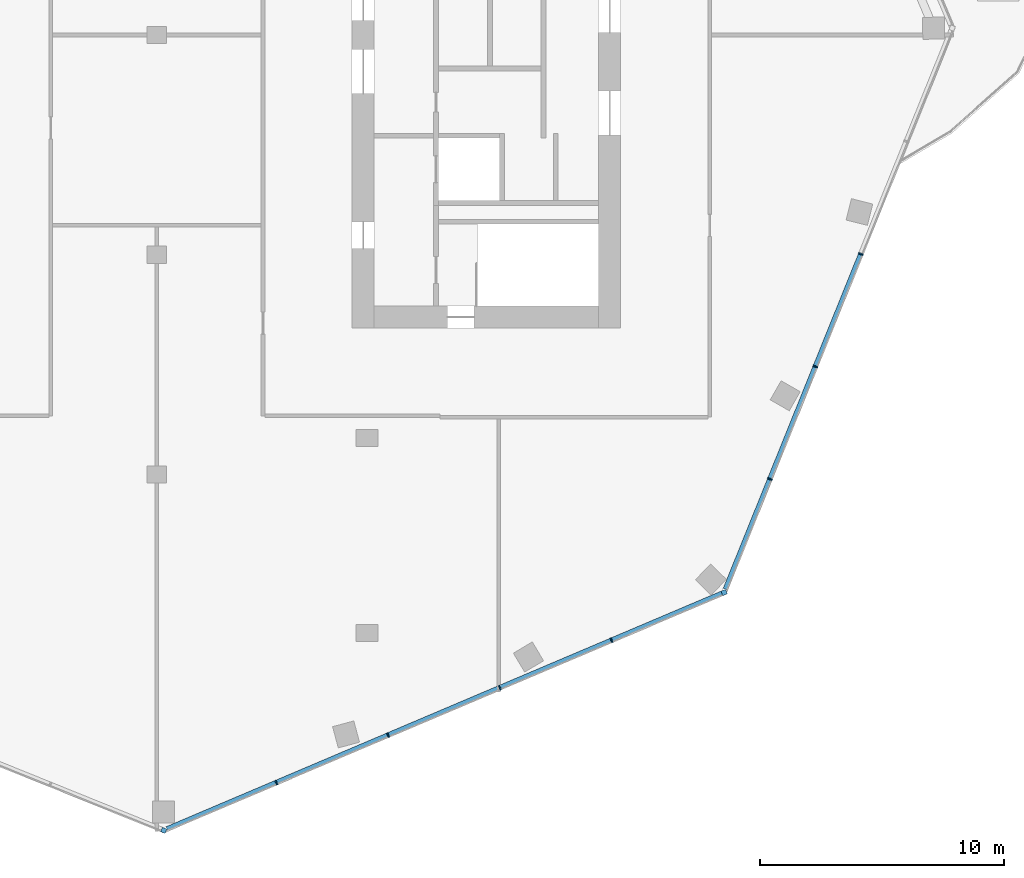
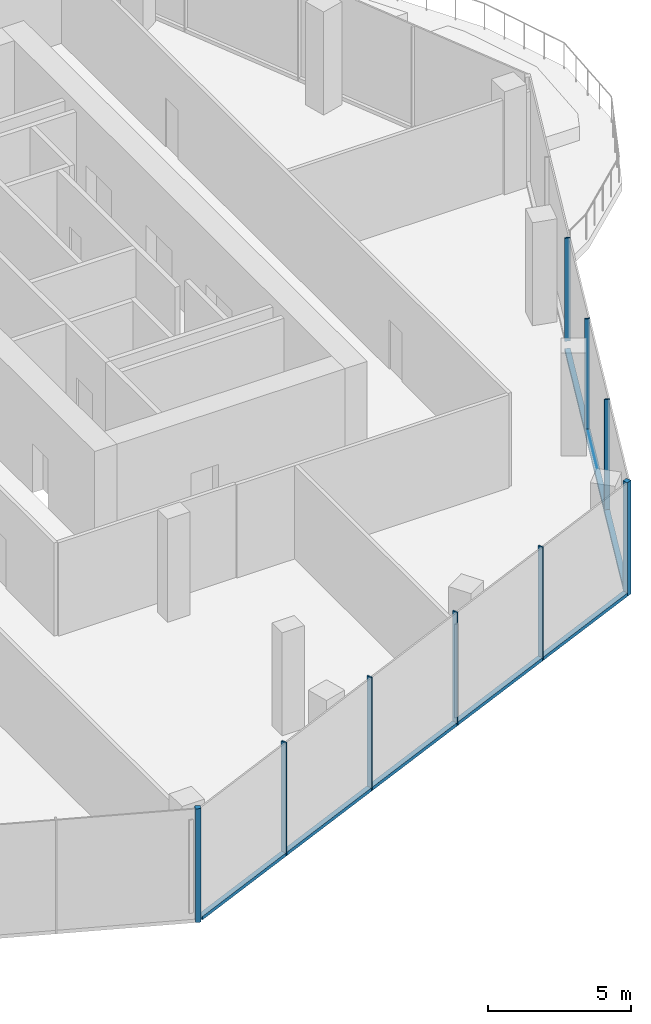
# One storey, part 4 of 15: 11 members, 3 elements without a shape of their own.
"""IFC4 building model written with IfcOpenShell, lengths in metres."""

from ifc_helpers import new_model, si_unit, direction, frame, origin, origin_2d, place, context, subcontext, project, spatial, rectangle, extrude, material, material_profile, profile_set, type_object, element, aggregate, save


model = new_model("IFC4")

# Units and contexts
model_context = context("Model", 3, precision=1e-05, world=origin(), true_north=direction((0.0, 1.0)))
body_context = subcontext(model_context, "Body", "Model", "MODEL_VIEW")
ifc_project = project(units=[si_unit("LENGTHUNIT", "METRE"), si_unit("AREAUNIT", "SQUARE_METRE"), si_unit("VOLUMEUNIT", "CUBIC_METRE"), si_unit("PLANEANGLEUNIT", "RADIAN"), si_unit("MASSUNIT", "GRAM", prefix="KILO")], contexts=[model_context])

# Site, building, storey
site_placement = place(None, origin())
site = spatial("IfcSite", under=ifc_project, at=site_placement, CompositionType="ELEMENT")
building_placement = place(site_placement, origin())
building = spatial("IfcBuilding", under=site, at=building_placement, Name="Orlundy Tower", CompositionType="ELEMENT")
storey_placement = place(building_placement, frame((0.0, 0.0, 299.89990234375)))
storey = spatial("IfcBuildingStorey", under=building, at=storey_placement, Name="L80", CompositionType="ELEMENT", Elevation=299.89990234375)

# Curtain wall, member
ifc_material_1 = material(Name="Aluminium bronze anodised", Category="aluminium")
curtain_wall_type = type_object("IfcCurtainWallType", Name="CW4 wall", PredefinedType="NOTDEFINED", material=ifc_material_1)
curtain_wall_1_placement = place(storey_placement, origin())
curtain_wall_1 = element("IfcCurtainWall", 1, at=curtain_wall_1_placement, inside=storey, type_object=curtain_wall_type, Name="CW4 run 02", PredefinedType="NOTDEFINED")
ifc_material_2 = material(Name="Aluminium bronze anodised", Category="aluminium")
ifc_material_profile_1 = material_profile(ifc_material_2, rectangle(XDim=0.199951171875, YDim=0.199951171875, at=origin_2d()), Name="CW4 corner post 200x200")
ifc_profile_set_1 = profile_set([ifc_material_profile_1], Name="Aluminium bronze anodised")
member_type_1 = type_object("IfcMemberType", Name="CW4 corner post 200x200", PredefinedType="MULLION", material=ifc_profile_set_1)
member_1_placement = place(storey_placement, frame((23.23828125, -22.8359375, -0.449951171875), z_axis=(0.0, 0.0, 1.0), x_axis=(0.390726531244, -0.920506804854, 0.0)))
member_1 = element("IfcMember", 2, at=member_1_placement, type_object=member_type_1, Name="CW4 mullion 11", PredefinedType="MULLION", context=body_context, shape_type="SweptSolid", body=[
    extrude(rectangle(XDim=0.199951171875, YDim=0.199951171875, at=origin_2d()), origin(), (0.0, 0.0, 1.0), 4.85009765625),
])

curtain_wall_2_placement = place(storey_placement, origin())
curtain_wall_2 = element("IfcCurtainWall", 3, at=curtain_wall_2_placement, inside=storey, type_object=curtain_wall_type, Name="CW4 run 03", PredefinedType="NOTDEFINED")
member_2_placement = place(storey_placement, frame((0.283935546875, -32.579345703125, -0.449951171875), z_axis=(0.0, 0.0, 1.0), x_axis=(-0.374607412456, -0.927183523653, 0.0)))
member_2 = element("IfcMember", 4, at=member_2_placement, type_object=member_type_1, Name="CW4 mullion 16", PredefinedType="MULLION", context=body_context, shape_type="SweptSolid", body=[
    extrude(rectangle(XDim=0.199951171875, YDim=0.199951171875, at=origin_2d()), origin(), (0.0, 0.0, 1.0), 4.85009765625),
])
aggregate(curtain_wall_2, [member_2])

# Curtain wall, members
curtain_wall_3_placement = place(storey_placement, origin())
curtain_wall_3 = element("IfcCurtainWall", 5, at=curtain_wall_3_placement, inside=storey, type_object=curtain_wall_type, Name="CW4 run 01", PredefinedType="NOTDEFINED")
ifc_material_3 = material(Name="Aluminium bronze anodised", Category="aluminium")
ifc_material_profile_2 = material_profile(ifc_material_3, rectangle(XDim=0.199951171875, YDim=0.06005859375, at=origin_2d()), Name="CW4 mullion 60x200")
ifc_profile_set_2 = profile_set([ifc_material_profile_2], Name="Aluminium bronze anodised")
member_type_2 = type_object("IfcMemberType", Name="CW4 mullion 60x200", PredefinedType="MULLION", material=ifc_profile_set_2)
member_3_placement = place(storey_placement, frame((28.839599609375, -8.9716796875, 0.0), z_axis=(0.0, 0.0, 1.0), x_axis=(0.927183523653, -0.374607412456, 0.0)))
member_3 = element("IfcMember", 6, at=member_3_placement, type_object=member_type_2, Name="CW4 mullion 8", PredefinedType="MULLION", context=body_context, shape_type="SweptSolid", body=[
    extrude(rectangle(XDim=0.199951171875, YDim=0.06005859375, at=origin_2d()), origin(), (0.0, 0.0, 1.0), 4.400146484375),
])
member_4_placement = place(storey_placement, frame((26.977783203125, -13.580322265625, -0.449951171875), z_axis=(0.0, 0.0, 1.0), x_axis=(0.927183523653, -0.374607412456, 0.0)))
member_4 = element("IfcMember", 7, at=member_4_placement, type_object=member_type_2, Name="CW4 mullion 9", PredefinedType="MULLION", context=body_context, shape_type="SweptSolid", body=[
    extrude(rectangle(XDim=0.199951171875, YDim=0.06005859375, at=origin_2d()), origin(), (0.0, 0.0, 1.0), 4.85009765625),
])
member_5_placement = place(storey_placement, frame((25.11572265625, -18.18896484375, -0.449951171875), z_axis=(0.0, 0.0, 1.0), x_axis=(0.927183523653, -0.374607412456, 0.0)))
member_5 = element("IfcMember", 8, at=member_5_placement, type_object=member_type_2, Name="CW4 mullion 10", PredefinedType="MULLION", context=body_context, shape_type="SweptSolid", body=[
    extrude(rectangle(XDim=0.199951171875, YDim=0.06005859375, at=origin_2d()), origin(), (0.0, 0.0, 1.0), 4.85009765625),
])

# Member
member_6_placement = place(storey_placement, frame((18.62451171875, -24.794189453125, -0.449951171875), z_axis=(0.0, 0.0, 1.0), x_axis=(0.390726531244, -0.920506804854, 0.0)))
member_6 = element("IfcMember", 9, at=member_6_placement, type_object=member_type_2, Name="CW4 mullion 12", PredefinedType="MULLION", context=body_context, shape_type="SweptSolid", body=[
    extrude(rectangle(XDim=0.199951171875, YDim=0.06005859375, at=origin_2d()), origin(), (0.0, 0.0, 1.0), 4.85009765625),
])

member_7_placement = place(storey_placement, frame((14.048828125, -26.736572265625, -0.449951171875), z_axis=(0.0, 0.0, 1.0), x_axis=(0.390726531244, -0.920506804854, 0.0)))
member_7 = element("IfcMember", 10, at=member_7_placement, type_object=member_type_2, Name="CW4 mullion 13", PredefinedType="MULLION", context=body_context, shape_type="SweptSolid", body=[
    extrude(rectangle(XDim=0.199951171875, YDim=0.06005859375, at=origin_2d()), origin(), (0.0, 0.0, 1.0), 4.85009765625),
])

member_8_placement = place(storey_placement, frame((9.473388671875, -28.6787109375, -0.449951171875), z_axis=(0.0, 0.0, 1.0), x_axis=(0.390726531244, -0.920506804854, 0.0)))
member_8 = element("IfcMember", 11, at=member_8_placement, type_object=member_type_2, Name="CW4 mullion 14", PredefinedType="MULLION", context=body_context, shape_type="SweptSolid", body=[
    extrude(rectangle(XDim=0.199951171875, YDim=0.06005859375, at=origin_2d()), origin(), (0.0, 0.0, 1.0), 4.85009765625),
])

member_9_placement = place(storey_placement, frame((4.897705078125, -30.620849609375, -0.449951171875), z_axis=(0.0, 0.0, 1.0), x_axis=(0.390726531244, -0.920506804854, 0.0)))
member_9 = element("IfcMember", 12, at=member_9_placement, type_object=member_type_2, Name="CW4 mullion 15", PredefinedType="MULLION", context=body_context, shape_type="SweptSolid", body=[
    extrude(rectangle(XDim=0.199951171875, YDim=0.06005859375, at=origin_2d()), origin(), (0.0, 0.0, 1.0), 4.85009765625),
])

ifc_material_4 = material(Name="Aluminium bronze anodised", Category="aluminium")
ifc_material_profile_3 = material_profile(ifc_material_4, rectangle(XDim=0.199951171875, YDim=0.14990234375, at=origin_2d()), Name="CW4 transom 200x150")
ifc_profile_set_3 = profile_set([ifc_material_profile_3], Name="Aluminium bronze anodised")
member_type_3 = type_object("IfcMemberType", Name="CW4 transom 200x150", PredefinedType="USERDEFINED", material=ifc_profile_set_3)
member_10_placement = place(storey_placement, frame((28.828369140625, -8.99951171875, -0.375), z_axis=(-0.374594946995, -0.927188559941, 0.0), x_axis=(0.927188559941, -0.374594946995, 0.0)))
member_10 = element("IfcMember", 13, at=member_10_placement, type_object=member_type_3, Name="CW4 transom", ObjectType="TRANSOM", PredefinedType="USERDEFINED", context=body_context, shape_type="SweptSolid", body=[
    extrude(rectangle(XDim=0.199951171875, YDim=0.14990234375, at=origin_2d()), origin(), (0.0, 0.0, 1.0), 14.781494140625),
])

aggregate(curtain_wall_3, [member_3, member_4, member_5, member_10])

member_11_placement = place(storey_placement, frame((23.146240234375, -22.875, -0.375), z_axis=(-0.920509385594, -0.390720451262, 0.0), x_axis=(0.390720451262, -0.920509385594, 0.0)))
member_11 = element("IfcMember", 14, at=member_11_placement, type_object=member_type_3, Name="CW4 transom", ObjectType="TRANSOM", PredefinedType="USERDEFINED", context=body_context, shape_type="SweptSolid", body=[
    extrude(rectangle(XDim=0.199951171875, YDim=0.14990234375, at=origin_2d()), origin(), (0.0, 0.0, 1.0), 24.6953125),
])

aggregate(curtain_wall_1, [member_1, member_6, member_7, member_8, member_9, member_11])

save(model, "model.ifc")
